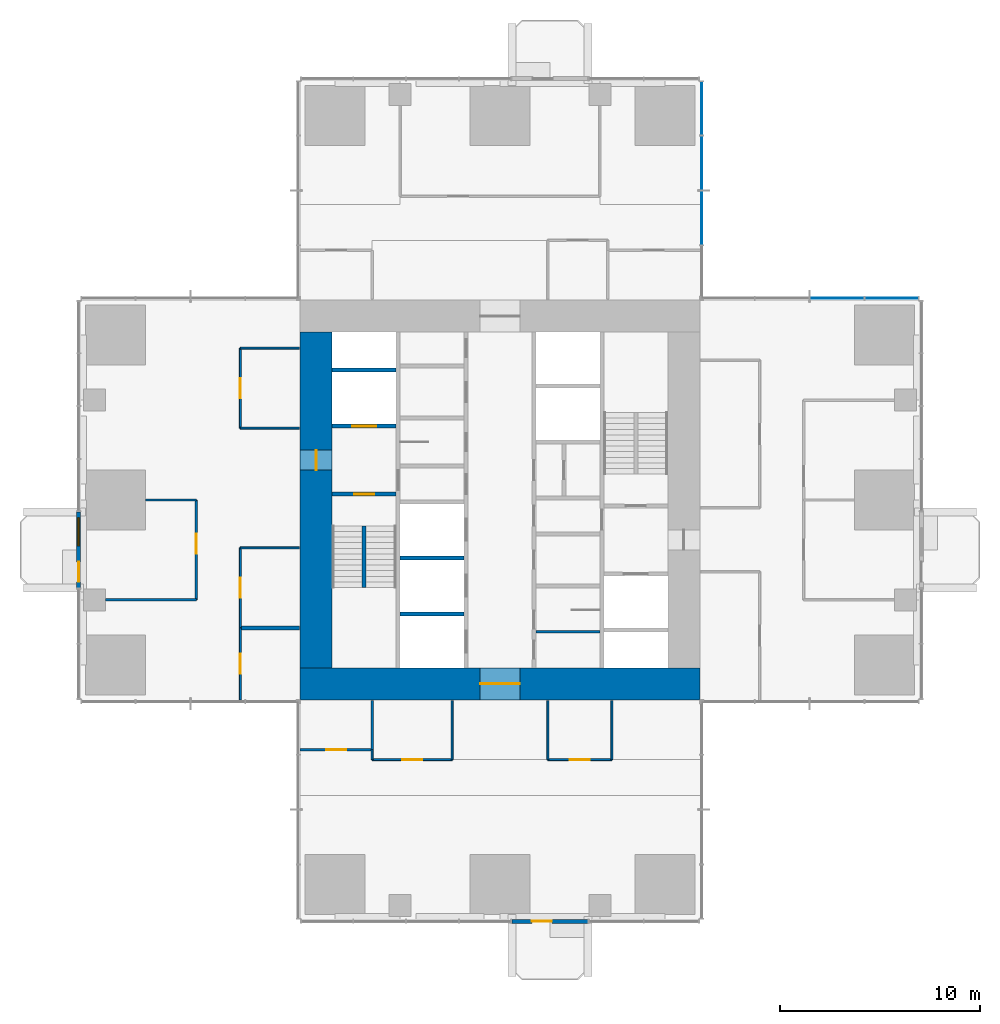
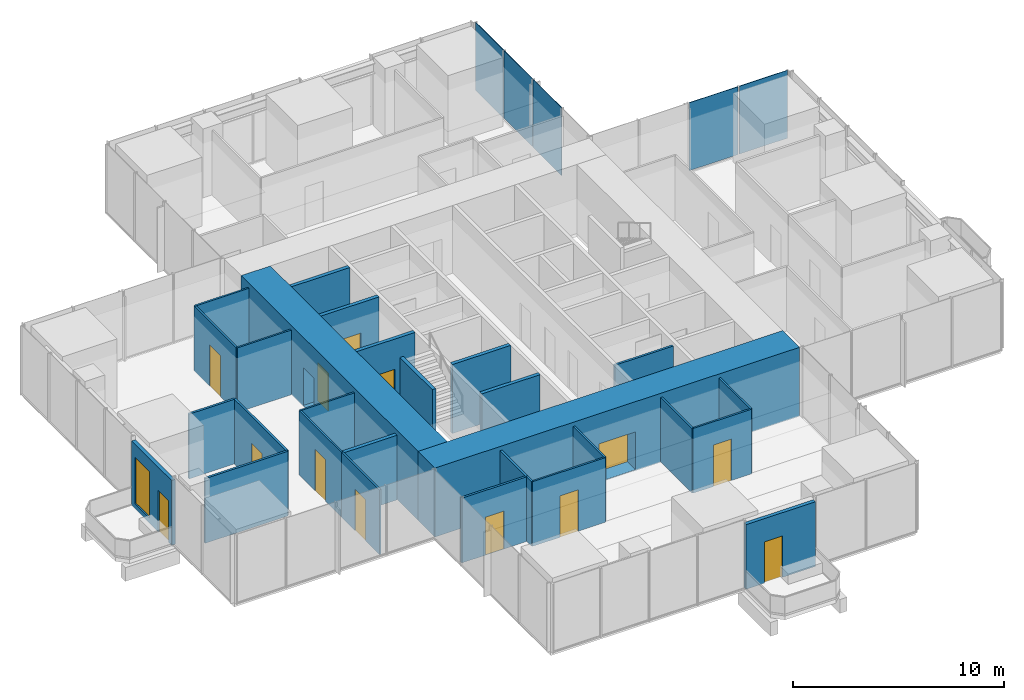
# One storey, part 8 of 13: 29 walls, 13 doors, 5 plates, 1 window, 14 openings, 2 elements without a shape of their own.
"""IFC4 building model written with IfcOpenShell, lengths in metres."""

from ifc_helpers import new_model, si_unit, direction, frame, frame_2d, origin, origin_2d, place, context, subcontext, project, spatial, rectangle, extrude, material, layer, layer_set, type_object, element, fill, aggregate, save


model = new_model("IFC4")

# Units and contexts
model_context = context("Model", 3, precision=1e-05, world=origin(), true_north=direction((0.0, 1.0)))
body_context = subcontext(model_context, "Body", "Model", "MODEL_VIEW")
ifc_project = project(units=[si_unit("LENGTHUNIT", "METRE"), si_unit("AREAUNIT", "SQUARE_METRE"), si_unit("VOLUMEUNIT", "CUBIC_METRE"), si_unit("PLANEANGLEUNIT", "RADIAN"), si_unit("MASSUNIT", "GRAM", prefix="KILO")], contexts=[model_context])

# Site, building, storey
site_placement = place(None, origin())
site = spatial("IfcSite", under=ifc_project, at=site_placement, CompositionType="ELEMENT")
building_placement = place(site_placement, origin())
building = spatial("IfcBuilding", under=site, at=building_placement, Name="Svetlomir Tower", CompositionType="ELEMENT")
storey_placement = place(building_placement, frame((0.0, 0.0, 136.5)))
storey = spatial("IfcBuildingStorey", under=building, at=storey_placement, Name="L32", CompositionType="ELEMENT", Elevation=136.5)

# Curtain wall, plates
ifc_material_1 = material(Name="Bronze anodised aluminium curtain wall", Category="aluminium")
curtain_wall_type = type_object("IfcCurtainWallType", Name="CURTAIN WALL CW1 TOWER OFFICE", PredefinedType="NOTDEFINED", material=ifc_material_1)
curtain_wall_1_placement = place(storey_placement, origin())
curtain_wall_1 = element("IfcCurtainWall", 1, at=curtain_wall_1_placement, inside=storey, type_object=curtain_wall_type, Name="Curtain wall CW1 L32", PredefinedType="NOTDEFINED")
ifc_material_2 = material(Name="Tinted double glazed unit", Category="glass")
ifc_layer_1 = layer(ifc_material_2, 0.031982421875)
ifc_layer_set_1 = layer_set([ifc_layer_1], Name="Tinted double glazed unit")
plate_type = type_object("IfcPlateType", Name="CW1 GLAZED PANEL 32", PredefinedType="CURTAIN_PANEL", material=ifc_layer_set_1)
plate_1_placement = place(storey_placement, frame((40.608642578125, 31.10009765625, 0.06494140625), z_axis=(0.0, 0.0, 1.0), x_axis=(-1.0, 0.0, 0.0)))
plate_1 = element("IfcPlate", 2, at=plate_1_placement, type_object=plate_type, Name="CW1 panel 1.1", PredefinedType="CURTAIN_PANEL", context=body_context, shape_type="SweptSolid", body=[
    extrude(rectangle(XDim=2.652587890625, YDim=0.031982421875, at=origin_2d()), origin(), (0.0, 0.0, 1.0), 3.93505859375),
])
plate_2_placement = place(storey_placement, frame((37.875, 31.10009765625, 0.06494140625), z_axis=(0.0, 0.0, 1.0), x_axis=(-1.0, 0.0, 0.0)))
plate_2 = element("IfcPlate", 3, at=plate_2_placement, type_object=plate_type, Name="CW1 panel 2.1", PredefinedType="CURTAIN_PANEL", context=body_context, shape_type="SweptSolid", body=[
    extrude(rectangle(XDim=2.68505859375, YDim=0.031982421875, at=origin_2d()), origin(), (0.0, 0.0, 1.0), 3.93505859375),
])
aggregate(curtain_wall_1, [plate_1, plate_2])

curtain_wall_2_placement = place(storey_placement, origin())
curtain_wall_2 = element("IfcCurtainWall", 4, at=curtain_wall_2_placement, inside=storey, type_object=curtain_wall_type, Name="Curtain wall CW1 L32", PredefinedType="NOTDEFINED")
plate_3_placement = place(storey_placement, frame((31.10009765625, 35.125, 0.06494140625), z_axis=(0.0, 0.0, 1.0), x_axis=(0.0, 1.0, 0.0)))
plate_3 = element("IfcPlate", 5, at=plate_3_placement, type_object=plate_type, Name="CW1 panel 2.1", PredefinedType="CURTAIN_PANEL", context=body_context, shape_type="SweptSolid", body=[
    extrude(rectangle(XDim=2.68505859375, YDim=0.031982421875, at=origin_2d()), origin(), (0.0, 0.0, 1.0), 3.93505859375),
])
plate_4_placement = place(storey_placement, frame((31.10009765625, 37.875, 0.06494140625), z_axis=(0.0, 0.0, 1.0), x_axis=(0.0, 1.0, 0.0)))
plate_4 = element("IfcPlate", 6, at=plate_4_placement, type_object=plate_type, Name="CW1 panel 3.1", PredefinedType="CURTAIN_PANEL", context=body_context, shape_type="SweptSolid", body=[
    extrude(rectangle(XDim=2.68505859375, YDim=0.031982421875, at=origin_2d()), origin(), (0.0, 0.0, 1.0), 3.93505859375),
])
plate_5_placement = place(storey_placement, frame((31.10009765625, 40.608642578125, 0.06494140625), z_axis=(0.0, 0.0, 1.0), x_axis=(0.0, 1.0, 0.0)))
plate_5 = element("IfcPlate", 7, at=plate_5_placement, type_object=plate_type, Name="CW1 panel 4.1", PredefinedType="CURTAIN_PANEL", context=body_context, shape_type="SweptSolid", body=[
    extrude(rectangle(XDim=2.652587890625, YDim=0.031982421875, at=origin_2d()), origin(), (0.0, 0.0, 1.0), 3.93505859375),
])
aggregate(curtain_wall_2, [plate_3, plate_4, plate_5])

# Wall
ifc_material_3 = material(Name="Gypsum board on twin steel studs", Category="steel")
ifc_layer_2 = layer(ifc_material_3, 0.199951171875)
ifc_layer_set_2 = layer_set([ifc_layer_2], Name="Gypsum board on twin steel studs")
wall_type_1 = type_object("IfcWallType", Name="ACOUSTIC PARTITION 200", PredefinedType="PARTITIONING", material=ifc_layer_set_2)
wall_1_placement = place(storey_placement, frame((8.0, 14.60009765625, 0.0), z_axis=(0.0, 0.0, 1.0), x_axis=(1.0, 0.0, 0.0)))
element("IfcWall", 8, at=wall_1_placement, inside=storey, type_object=wall_type_1, Name="Acoustic partition L32", PredefinedType="PARTITIONING", context=body_context, shape_type="SweptSolid", body=[
    extrude(rectangle(XDim=2.949951171875, YDim=0.199951171875, at=frame_2d((1.47509765625, 0.0))), origin(), (0.0, 0.0, 1.0), 3.75),
])

# Wall, opening, door
ifc_material_4 = material(Name="Bronze anodised aluminium glazed screen", Category="aluminium")
ifc_layer_3 = layer(ifc_material_4, 0.199951171875)
ifc_layer_set_3 = layer_set([ifc_layer_3], Name="Bronze anodised aluminium glazed screen")
wall_type_2 = type_object("IfcWallType", Name="BALCONY SCREEN WALL 200", PredefinedType="USERDEFINED", material=ifc_layer_set_3)
wall_2_placement = place(storey_placement, frame((21.60009765625, -0.10009765625, 0.0), z_axis=(0.0, 0.0, 1.0), x_axis=(1.0, 0.0, 0.0)))
wall_2 = element("IfcWall", 9, at=wall_2_placement, inside=storey, type_object=wall_type_2, Name="Balcony screen S", ObjectType="GLAZED SCREEN", PredefinedType="USERDEFINED", context=body_context, shape_type="SweptSolid", body=[
    extrude(rectangle(XDim=3.7998046875, YDim=0.199951171875, at=frame_2d((1.89990234375, 0.0))), origin(), (0.0, 0.0, 1.0), 3.75),
])
opening_1_placement = place(wall_2_placement, frame((1.0, 0.0, 0.0)))
opening_1 = element("IfcOpeningElement", 10, at=opening_1_placement, cuts=wall_2, Name="Opening BD", PredefinedType="OPENING", context=body_context, shape_type="SweptSolid", body=[
    extrude(rectangle(XDim=1.0, YDim=2.39990234375, at=frame_2d((0.5, 1.199951171875))), frame((0.0, 0.10986328125, 0.0), z_axis=(0.0, -1.0, 0.0), x_axis=(1.0, 0.0, 0.0)), (0.0, 0.0, 1.0), 0.219970703125),
])
ifc_material_5 = material(Name="Bronze anodised aluminium glazed door", Category="aluminium")
door_type_1 = type_object("IfcDoorType", Name="BALCONY DOOR BD 1000x2400", OperationType="SINGLE_SWING_LEFT", PredefinedType="DOOR", material=ifc_material_5)
door_1_placement = place(opening_1_placement, origin())
door_1 = element("IfcDoor", 11, at=door_1_placement, inside=storey, type_object=door_type_1, Name="Balcony screen S door", OperationType="SINGLE_SWING_LEFT", OverallHeight=2.39990234375, OverallWidth=1.0, PredefinedType="DOOR", context=body_context, shape_type="SweptSolid", body=[
    extrude(rectangle(XDim=1.0, YDim=2.39990234375, at=frame_2d((0.5, 1.199951171875))), frame((0.0, 0.02490234375, 0.0), z_axis=(0.0, -1.0, 0.0), x_axis=(1.0, 0.0, 0.0)), (0.0, 0.0, 1.0), 0.050048828125),
])
fill(opening_1, door_1)

# Wall, openings, door, window
wall_3_placement = place(storey_placement, frame((-0.10009765625, 20.39990234375, 0.0), z_axis=(0.0, 0.0, 1.0), x_axis=(0.0, -1.0, 0.0)))
wall_3 = element("IfcWall", 12, at=wall_3_placement, inside=storey, type_object=wall_type_2, Name="Balcony screen W", ObjectType="GLAZED SCREEN", PredefinedType="USERDEFINED", context=body_context, shape_type="SweptSolid", body=[
    extrude(rectangle(XDim=3.7998046875, YDim=0.199951171875, at=frame_2d((1.89990234375, 0.0))), origin(), (0.0, 0.0, 1.0), 3.75),
])
opening_2_placement = place(wall_3_placement, frame((2.5, 0.0, 0.0)))
opening_2 = element("IfcOpeningElement", 13, at=opening_2_placement, cuts=wall_3, Name="Opening BD", PredefinedType="OPENING", context=body_context, shape_type="SweptSolid", body=[
    extrude(rectangle(XDim=1.0, YDim=2.39990234375, at=frame_2d((0.5, 1.199951171875))), frame((0.0, 0.10986328125, 0.0), z_axis=(0.0, -1.0, 0.0), x_axis=(1.0, 0.0, 0.0)), (0.0, 0.0, 1.0), 0.219970703125),
])
opening_3_placement = place(wall_3_placement, frame((0.300048828125, 0.0, 0.300048828125)))
opening_3 = element("IfcOpeningElement", 14, at=opening_3_placement, cuts=wall_3, Name="Opening WS2", PredefinedType="OPENING", context=body_context, shape_type="SweptSolid", body=[
    extrude(rectangle(XDim=1.39990234375, YDim=2.699951171875, at=frame_2d((0.699951171875, 1.35009765625))), frame((0.0, 0.10986328125, 0.0), z_axis=(0.0, -1.0, 0.0), x_axis=(1.0, 0.0, 0.0)), (0.0, 0.0, 1.0), 0.219970703125),
])
door_2_placement = place(opening_2_placement, origin())
door_2 = element("IfcDoor", 15, at=door_2_placement, inside=storey, type_object=door_type_1, Name="Balcony screen W door", OperationType="SINGLE_SWING_LEFT", OverallHeight=2.39990234375, OverallWidth=1.0, PredefinedType="DOOR", context=body_context, shape_type="SweptSolid", body=[
    extrude(rectangle(XDim=1.0, YDim=2.39990234375, at=frame_2d((0.5, 1.199951171875))), frame((0.0, 0.02490234375, 0.0), z_axis=(0.0, -1.0, 0.0), x_axis=(1.0, 0.0, 0.0)), (0.0, 0.0, 1.0), 0.050048828125),
])
fill(opening_2, door_2)
ifc_material_6 = material(Name="Bronze anodised aluminium window", Category="aluminium")
window_type = type_object("IfcWindowType", Name="SCREEN WINDOW WS2 1400x2700", PartitioningType="SINGLE_PANEL", PredefinedType="WINDOW", material=ifc_material_6)
window_placement = place(opening_3_placement, origin())
window = element("IfcWindow", 16, at=window_placement, inside=storey, type_object=window_type, Name="Balcony screen W window 1", OverallHeight=2.699951171875, OverallWidth=1.39990234375, PartitioningType="SINGLE_PANEL", PredefinedType="WINDOW", context=body_context, shape_type="SweptSolid", body=[
    extrude(rectangle(XDim=1.39990234375, YDim=2.699951171875, at=frame_2d((0.699951171875, 1.35009765625))), frame((0.0, 0.030029296875, 0.0), z_axis=(0.0, -1.0, 0.0), x_axis=(1.0, 0.0, 0.0)), (0.0, 0.0, 1.0), 0.06005859375),
])
fill(opening_3, window)

# Wall, opening, door
ifc_material_7 = material(Name="Concrete C60/75", Category="concrete")
ifc_layer_4 = layer(ifc_material_7, 0.199951171875)
ifc_layer_set_4 = layer_set([ifc_layer_4], Name="Concrete C60/75")
wall_type_3 = type_object("IfcWallType", Name="CORE INNER WALL 200", PredefinedType="SHEAR", material=ifc_layer_set_4)
wall_4_placement = place(storey_placement, frame((12.60009765625, 21.300048828125, -0.050048828125), z_axis=(0.0, 0.0, 1.0), x_axis=(1.0, 0.0, 0.0)))
wall_4 = element("IfcWall", 17, at=wall_4_placement, inside=storey, type_object=wall_type_3, Name="Core inner wall 12.6-15.8/21.3 L32", PredefinedType="SHEAR", context=body_context, shape_type="SweptSolid", body=[
    extrude(rectangle(XDim=3.199951171875, YDim=0.199951171875, at=frame_2d((1.60009765625, 0.0))), origin(), (0.0, 0.0, 1.0), 4.0),
])
opening_4_placement = place(wall_4_placement, frame((1.10009765625, 0.0, 0.050048828125)))
opening_4 = element("IfcOpeningElement", 18, at=opening_4_placement, cuts=wall_4, Name="Opening DF", PredefinedType="OPENING", context=body_context, shape_type="SweptSolid", body=[
    extrude(rectangle(XDim=1.0, YDim=2.199951171875, at=frame_2d((0.5, 1.10009765625))), frame((0.0, 0.10986328125, 0.0), z_axis=(0.0, -1.0, 0.0), x_axis=(1.0, 0.0, 0.0)), (0.0, 0.0, 1.0), 0.219970703125),
])
ifc_material_8 = material(Name="Steel fire door", Category="steel")
door_type_2 = type_object("IfcDoorType", Name="DOOR DF 1000x2200", OperationType="SINGLE_SWING_LEFT", PredefinedType="DOOR", material=ifc_material_8)
door_3_placement = place(opening_4_placement, origin())
door_3 = element("IfcDoor", 19, at=door_3_placement, inside=storey, type_object=door_type_2, Name="Stair S1 door L32", OperationType="SINGLE_SWING_RIGHT", OverallHeight=2.199951171875, OverallWidth=1.0, PredefinedType="DOOR", context=body_context, shape_type="SweptSolid", body=[
    extrude(rectangle(XDim=1.0, YDim=2.199951171875, at=frame_2d((0.5, 1.10009765625))), frame((0.0, 0.02490234375, 0.0), z_axis=(0.0, -1.0, 0.0), x_axis=(1.0, 0.0, 0.0)), (0.0, 0.0, 1.0), 0.050048828125),
])
fill(opening_4, door_3)

wall_5_placement = place(storey_placement, frame((12.60009765625, 24.699951171875, -0.050048828125), z_axis=(0.0, 0.0, 1.0), x_axis=(1.0, 0.0, 0.0)))
wall_5 = element("IfcWall", 20, at=wall_5_placement, inside=storey, type_object=wall_type_3, Name="Core inner wall 12.6-15.8/24.7 L32", PredefinedType="SHEAR", context=body_context, shape_type="SweptSolid", body=[
    extrude(rectangle(XDim=3.199951171875, YDim=0.199951171875, at=frame_2d((1.60009765625, 0.0))), origin(), (0.0, 0.0, 1.0), 4.0),
])
opening_5_placement = place(wall_5_placement, frame((1.0, 0.0, 0.050048828125)))
opening_5 = element("IfcOpeningElement", 21, at=opening_5_placement, cuts=wall_5, Name="Opening LD3", PredefinedType="OPENING", context=body_context, shape_type="SweptSolid", body=[
    extrude(rectangle(XDim=1.199951171875, YDim=2.199951171875, at=frame_2d((0.60009765625, 1.10009765625))), frame((0.0, 0.10986328125, 0.0), z_axis=(0.0, -1.0, 0.0), x_axis=(1.0, 0.0, 0.0)), (0.0, 0.0, 1.0), 0.219970703125),
])
ifc_material_9 = material(Name="Stainless steel fire-rated landing door", Category="steel")
door_type_3 = type_object("IfcDoorType", Name="FIREFIGHTING LIFT LANDING DOOR LD3 1200x2200", OperationType="DOUBLE_DOOR_SLIDING", PredefinedType="DOOR", material=ifc_material_9)
door_4_placement = place(opening_5_placement, origin())
door_4 = element("IfcDoor", 22, at=door_4_placement, inside=storey, type_object=door_type_3, Name="Landing door lift FL1 L32", OperationType="DOUBLE_DOOR_SLIDING", OverallHeight=2.199951171875, OverallWidth=1.199951171875, PredefinedType="DOOR", context=body_context, shape_type="SweptSolid", body=[
    extrude(rectangle(XDim=1.199951171875, YDim=2.199951171875, at=frame_2d((0.60009765625, 1.10009765625))), frame((0.0, 0.02490234375, 0.0), z_axis=(0.0, -1.0, 0.0), x_axis=(1.0, 0.0, 0.0)), (0.0, 0.0, 1.0), 0.050048828125),
])
fill(opening_5, door_4)

# Walls
for number, where, z_axis, x_axis, name in (
    (23, (12.60009765625, 27.5, -0.050048828125), (0.0, 0.0, 1.0), (1.0, 0.0, 0.0), "Core inner wall 12.6-15.8/27.5 L32"),
    (24, (16.0, 15.300048828125, -0.050048828125), (0.0, 0.0, 1.0), (1.0, 0.0, 0.0), "Core inner wall 16-19.2/15.3 L32"),
    (25, (16.0, 18.10009765625, -0.050048828125), (0.0, 0.0, 1.0), (1.0, 0.0, 0.0), "Core inner wall 16-19.2/18.1 L32"),
):
    element("IfcWall", number, at=place(storey_placement, frame(where, z_axis=z_axis, x_axis=x_axis)), inside=storey, type_object=wall_type_3, Name=name, PredefinedType="SHEAR", context=body_context, shape_type="SweptSolid", body=[
        extrude(rectangle(XDim=3.199951171875, YDim=0.199951171875, at=frame_2d((1.60009765625, 0.0))), origin(), (0.0, 0.0, 1.0), 4.0),
    ])

# Wall, opening, door
ifc_material_10 = material(Name="Concrete C60/75", Category="concrete")
ifc_layer_5 = layer(ifc_material_10, 1.60009765625)
ifc_layer_set_5 = layer_set([ifc_layer_5], Name="Concrete C60/75")
wall_type_4 = type_object("IfcWallType", Name="CORE WALL 1600", PredefinedType="SHEAR", material=ifc_layer_set_5)
wall_6_placement = place(storey_placement, frame((11.0, 11.800048828125, -0.050048828125), z_axis=(0.0, 0.0, 1.0), x_axis=(1.0, 0.0, 0.0)))
wall_6 = element("IfcWall", 26, at=wall_6_placement, inside=storey, type_object=wall_type_4, Name="Core wall south L32", PredefinedType="SHEAR", context=body_context, shape_type="SweptSolid", body=[
    extrude(rectangle(XDim=20.0, YDim=1.60009765625, at=frame_2d((10.0, 0.0))), origin(), (0.0, 0.0, 1.0), 4.0),
])
opening_6_placement = place(wall_6_placement, frame((9.0, 0.0, 0.050048828125)))
opening_6 = element("IfcOpeningElement", 27, at=opening_6_placement, cuts=wall_6, Name="Opening DL", PredefinedType="OPENING", context=body_context, shape_type="SweptSolid", body=[
    extrude(rectangle(XDim=2.0, YDim=2.199951171875, at=frame_2d((1.0, 1.10009765625))), frame((0.0, 0.81005859375, 0.0), z_axis=(0.0, -1.0, 0.0), x_axis=(1.0, 0.0, 0.0)), (0.0, 0.0, 1.0), 1.6201171875),
])
ifc_material_11 = material(Name="Steel fire door", Category="steel")
door_type_4 = type_object("IfcDoorType", Name="DOOR DL 2000x2200", OperationType="DOUBLE_DOOR_SINGLE_SWING", PredefinedType="DOOR", material=ifc_material_11)
door_5_placement = place(opening_6_placement, origin())
door_5 = element("IfcDoor", 28, at=door_5_placement, inside=storey, type_object=door_type_4, Name="Lift lobby south door L32", OperationType="DOUBLE_DOOR_SINGLE_SWING", OverallHeight=2.199951171875, OverallWidth=2.0, PredefinedType="DOOR", context=body_context, shape_type="SweptSolid", body=[
    extrude(rectangle(XDim=2.0, YDim=2.199951171875, at=frame_2d((1.0, 1.10009765625))), frame((0.0, 0.02490234375, 0.0), z_axis=(0.0, -1.0, 0.0), x_axis=(1.0, 0.0, 0.0)), (0.0, 0.0, 1.0), 0.050048828125),
])
fill(opening_6, door_5)

wall_7_placement = place(storey_placement, frame((11.800048828125, 12.60009765625, -0.050048828125), z_axis=(0.0, 0.0, 1.0), x_axis=(0.0, 1.0, 0.0)))
wall_7 = element("IfcWall", 29, at=wall_7_placement, inside=storey, type_object=wall_type_4, Name="Core wall west L32", PredefinedType="SHEAR", context=body_context, shape_type="SweptSolid", body=[
    extrude(rectangle(XDim=16.7998046875, YDim=1.60009765625, at=frame_2d((8.39990234375, 0.0))), origin(), (0.0, 0.0, 1.0), 4.0),
])
opening_7_placement = place(wall_7_placement, frame((9.89990234375, 0.0, 0.050048828125)))
opening_7 = element("IfcOpeningElement", 30, at=opening_7_placement, cuts=wall_7, Name="Opening DF", PredefinedType="OPENING", context=body_context, shape_type="SweptSolid", body=[
    extrude(rectangle(XDim=1.0, YDim=2.199951171875, at=frame_2d((0.5, 1.10009765625))), frame((0.0, 0.81005859375, 0.0), z_axis=(0.0, -1.0, 0.0), x_axis=(1.0, 0.0, 0.0)), (0.0, 0.0, 1.0), 1.6201171875),
])
door_6_placement = place(opening_7_placement, origin())
door_6 = element("IfcDoor", 31, at=door_6_placement, inside=storey, type_object=door_type_2, Name="Firefighting lobby west door L32", OperationType="SINGLE_SWING_RIGHT", OverallHeight=2.199951171875, OverallWidth=1.0, PredefinedType="DOOR", context=body_context, shape_type="SweptSolid", body=[
    extrude(rectangle(XDim=1.0, YDim=2.199951171875, at=frame_2d((0.5, 1.10009765625))), frame((0.0, 0.02490234375, 0.0), z_axis=(0.0, -1.0, 0.0), x_axis=(1.0, 0.0, 0.0)), (0.0, 0.0, 1.0), 0.050048828125),
])
fill(opening_7, door_6)

ifc_material_12 = material(Name="Framed laminated glass partition", Category="glass")
ifc_layer_6 = layer(ifc_material_12, 0.10009765625)
ifc_layer_set_6 = layer_set([ifc_layer_6], Name="Framed laminated glass partition")
wall_type_5 = type_object("IfcWallType", Name="GLAZED PARTITION 100", PredefinedType="PARTITIONING", material=ifc_layer_set_6)
wall_8_placement = place(storey_placement, frame((8.0, 11.0, 0.0), z_axis=(0.0, 0.0, 1.0), x_axis=(0.0, 1.0, 0.0)))
wall_8 = element("IfcWall", 32, at=wall_8_placement, inside=storey, type_object=wall_type_5, Name="Glazed partition L32", PredefinedType="PARTITIONING", context=body_context, shape_type="SweptSolid", body=[
    extrude(rectangle(XDim=3.60009765625, YDim=0.10009765625, at=frame_2d((1.800048828125, 0.0))), origin(), (0.0, 0.0, 1.0), 3.75),
])
opening_8_placement = place(wall_8_placement, frame((1.300048828125, 0.0, 0.0)))
opening_8 = element("IfcOpeningElement", 33, at=opening_8_placement, cuts=wall_8, Name="Opening DG", PredefinedType="OPENING", context=body_context, shape_type="SweptSolid", body=[
    extrude(rectangle(XDim=1.0, YDim=2.39990234375, at=frame_2d((0.5, 1.199951171875))), frame((0.0, 0.06005859375, 0.0), z_axis=(0.0, -1.0, 0.0), x_axis=(1.0, 0.0, 0.0)), (0.0, 0.0, 1.0), 0.1201171875),
])
ifc_material_13 = material(Name="Framed laminated glass door", Category="glass")
door_type_5 = type_object("IfcDoorType", Name="GLAZED DOOR DG 1000x2400", OperationType="SINGLE_SWING_LEFT", PredefinedType="DOOR", material=ifc_material_13)
door_7_placement = place(opening_8_placement, origin())
door_7 = element("IfcDoor", 34, at=door_7_placement, inside=storey, type_object=door_type_5, Name="Meeting room, 8 seats door L32", OperationType="SINGLE_SWING_RIGHT", OverallHeight=2.39990234375, OverallWidth=1.0, PredefinedType="DOOR", context=body_context, shape_type="SweptSolid", body=[
    extrude(rectangle(XDim=1.0, YDim=2.39990234375, at=frame_2d((0.5, 1.199951171875))), frame((0.0, 0.02490234375, 0.0), z_axis=(0.0, -1.0, 0.0), x_axis=(1.0, 0.0, 0.0)), (0.0, 0.0, 1.0), 0.050048828125),
])
fill(opening_8, door_7)

wall_9_placement = place(storey_placement, frame((8.0, 14.60009765625, 0.0), z_axis=(0.0, 0.0, 1.0), x_axis=(0.0, 1.0, 0.0)))
wall_9 = element("IfcWall", 35, at=wall_9_placement, inside=storey, type_object=wall_type_5, Name="Glazed partition L32", PredefinedType="PARTITIONING", context=body_context, shape_type="SweptSolid", body=[
    extrude(rectangle(XDim=4.0, YDim=0.10009765625, at=frame_2d((2.0, 0.0))), origin(), (0.0, 0.0, 1.0), 3.75),
])
opening_9_placement = place(wall_9_placement, frame((1.5, 0.0, 0.0)))
opening_9 = element("IfcOpeningElement", 36, at=opening_9_placement, cuts=wall_9, Name="Opening DG", PredefinedType="OPENING", context=body_context, shape_type="SweptSolid", body=[
    extrude(rectangle(XDim=1.0, YDim=2.39990234375, at=frame_2d((0.5, 1.199951171875))), frame((0.0, 0.06005859375, 0.0), z_axis=(0.0, -1.0, 0.0), x_axis=(1.0, 0.0, 0.0)), (0.0, 0.0, 1.0), 0.1201171875),
])
door_8_placement = place(opening_9_placement, origin())
door_8 = element("IfcDoor", 37, at=door_8_placement, inside=storey, type_object=door_type_5, Name="Meeting room, 4 seats 2 door L32", OperationType="SINGLE_SWING_LEFT", OverallHeight=2.39990234375, OverallWidth=1.0, PredefinedType="DOOR", context=body_context, shape_type="SweptSolid", body=[
    extrude(rectangle(XDim=1.0, YDim=2.39990234375, at=frame_2d((0.5, 1.199951171875))), frame((0.0, 0.02490234375, 0.0), z_axis=(0.0, -1.0, 0.0), x_axis=(1.0, 0.0, 0.0)), (0.0, 0.0, 1.0), 0.050048828125),
])
fill(opening_9, door_8)

# Wall
wall_10_placement = place(storey_placement, frame((8.0, 18.60009765625, 0.0), z_axis=(0.0, 0.0, 1.0), x_axis=(1.0, 0.0, 0.0)))
element("IfcWall", 38, at=wall_10_placement, inside=storey, type_object=wall_type_5, Name="Glazed partition L32", PredefinedType="PARTITIONING", context=body_context, shape_type="SweptSolid", body=[
    extrude(rectangle(XDim=2.949951171875, YDim=0.10009765625, at=frame_2d((1.47509765625, 0.0))), origin(), (0.0, 0.0, 1.0), 3.75),
])

# Wall, opening, door
wall_11_placement = place(storey_placement, frame((8.0, 24.60009765625, 0.0), z_axis=(0.0, 0.0, 1.0), x_axis=(0.0, 1.0, 0.0)))
wall_11 = element("IfcWall", 39, at=wall_11_placement, inside=storey, type_object=wall_type_5, Name="Glazed partition L32", PredefinedType="PARTITIONING", context=body_context, shape_type="SweptSolid", body=[
    extrude(rectangle(XDim=4.0, YDim=0.10009765625, at=frame_2d((2.0, 0.0))), origin(), (0.0, 0.0, 1.0), 3.75),
])
opening_10_placement = place(wall_11_placement, frame((1.5, 0.0, 0.0)))
opening_10 = element("IfcOpeningElement", 40, at=opening_10_placement, cuts=wall_11, Name="Opening DG", PredefinedType="OPENING", context=body_context, shape_type="SweptSolid", body=[
    extrude(rectangle(XDim=1.0, YDim=2.39990234375, at=frame_2d((0.5, 1.199951171875))), frame((0.0, 0.06005859375, 0.0), z_axis=(0.0, -1.0, 0.0), x_axis=(1.0, 0.0, 0.0)), (0.0, 0.0, 1.0), 0.1201171875),
])
door_9_placement = place(opening_10_placement, origin())
door_9 = element("IfcDoor", 41, at=door_9_placement, inside=storey, type_object=door_type_5, Name="Focus room 1 door L32", OperationType="SINGLE_SWING_RIGHT", OverallHeight=2.39990234375, OverallWidth=1.0, PredefinedType="DOOR", context=body_context, shape_type="SweptSolid", body=[
    extrude(rectangle(XDim=1.0, YDim=2.39990234375, at=frame_2d((0.5, 1.199951171875))), frame((0.0, 0.02490234375, 0.0), z_axis=(0.0, -1.0, 0.0), x_axis=(1.0, 0.0, 0.0)), (0.0, 0.0, 1.0), 0.050048828125),
])
fill(opening_10, door_9)

# Walls
for number, where, z_axis, x_axis, name in (
    (42, (8.0, 24.60009765625, 0.0), (0.0, 0.0, 1.0), (1.0, 0.0, 0.0), "Glazed partition L32"),
    (43, (8.0, 28.60009765625, 0.0), (0.0, 0.0, 1.0), (1.0, 0.0, 0.0), "Glazed partition L32"),
):
    element("IfcWall", number, at=place(storey_placement, frame(where, z_axis=z_axis, x_axis=x_axis)), inside=storey, type_object=wall_type_5, Name=name, PredefinedType="PARTITIONING", context=body_context, shape_type="SweptSolid", body=[
        extrude(rectangle(XDim=2.949951171875, YDim=0.10009765625, at=frame_2d((1.47509765625, 0.0))), origin(), (0.0, 0.0, 1.0), 3.75),
    ])
wall_12_placement = place(storey_placement, frame((14.60009765625, 8.0, 0.0), z_axis=(0.0, 0.0, 1.0), x_axis=(0.0, 1.0, 0.0)))
element("IfcWall", 44, at=wall_12_placement, inside=storey, type_object=wall_type_5, Name="Glazed partition L32", PredefinedType="PARTITIONING", context=body_context, shape_type="SweptSolid", body=[
    extrude(rectangle(XDim=0.5, YDim=0.10009765625, at=frame_2d((0.25, 0.0))), origin(), (0.0, 0.0, 1.0), 3.75),
])

# Wall, opening, door
wall_13_placement = place(storey_placement, frame((14.60009765625, 8.0, 0.0), z_axis=(0.0, 0.0, 1.0), x_axis=(1.0, 0.0, 0.0)))
wall_13 = element("IfcWall", 45, at=wall_13_placement, inside=storey, type_object=wall_type_5, Name="Glazed partition L32", PredefinedType="PARTITIONING", context=body_context, shape_type="SweptSolid", body=[
    extrude(rectangle(XDim=4.0, YDim=0.10009765625, at=frame_2d((2.0, 0.0))), origin(), (0.0, 0.0, 1.0), 3.75),
])
opening_11_placement = place(wall_13_placement, frame((1.5, 0.0, 0.0)))
opening_11 = element("IfcOpeningElement", 46, at=opening_11_placement, cuts=wall_13, Name="Opening DG", PredefinedType="OPENING", context=body_context, shape_type="SweptSolid", body=[
    extrude(rectangle(XDim=1.0, YDim=2.39990234375, at=frame_2d((0.5, 1.199951171875))), frame((0.0, 0.06005859375, 0.0), z_axis=(0.0, -1.0, 0.0), x_axis=(1.0, 0.0, 0.0)), (0.0, 0.0, 1.0), 0.1201171875),
])
door_10_placement = place(opening_11_placement, origin())
door_10 = element("IfcDoor", 47, at=door_10_placement, inside=storey, type_object=door_type_5, Name="Meeting room, 6 seats door L32", OperationType="SINGLE_SWING_RIGHT", OverallHeight=2.39990234375, OverallWidth=1.0, PredefinedType="DOOR", context=body_context, shape_type="SweptSolid", body=[
    extrude(rectangle(XDim=1.0, YDim=2.39990234375, at=frame_2d((0.5, 1.199951171875))), frame((0.0, 0.02490234375, 0.0), z_axis=(0.0, -1.0, 0.0), x_axis=(1.0, 0.0, 0.0)), (0.0, 0.0, 1.0), 0.050048828125),
])
fill(opening_11, door_10)

# Walls
for number, where, z_axis, x_axis, name in (
    (48, (18.60009765625, 8.0, 0.0), (0.0, 0.0, 1.0), (0.0, 1.0, 0.0), "Glazed partition L32"),
    (49, (23.39990234375, 8.0, 0.0), (0.0, 0.0, 1.0), (0.0, 1.0, 0.0), "Glazed partition L32"),
):
    element("IfcWall", number, at=place(storey_placement, frame(where, z_axis=z_axis, x_axis=x_axis)), inside=storey, type_object=wall_type_5, Name=name, PredefinedType="PARTITIONING", context=body_context, shape_type="SweptSolid", body=[
        extrude(rectangle(XDim=2.949951171875, YDim=0.10009765625, at=frame_2d((1.47509765625, 0.0))), origin(), (0.0, 0.0, 1.0), 3.75),
    ])

# Wall, opening, door
wall_14_placement = place(storey_placement, frame((23.39990234375, 8.0, 0.0), z_axis=(0.0, 0.0, 1.0), x_axis=(1.0, 0.0, 0.0)))
wall_14 = element("IfcWall", 50, at=wall_14_placement, inside=storey, type_object=wall_type_5, Name="Glazed partition L32", PredefinedType="PARTITIONING", context=body_context, shape_type="SweptSolid", body=[
    extrude(rectangle(XDim=3.2001953125, YDim=0.10009765625, at=frame_2d((1.60009765625, 0.0))), origin(), (0.0, 0.0, 1.0), 3.75),
])
opening_12_placement = place(wall_14_placement, frame((1.10009765625, 0.0, 0.0)))
opening_12 = element("IfcOpeningElement", 51, at=opening_12_placement, cuts=wall_14, Name="Opening DG", PredefinedType="OPENING", context=body_context, shape_type="SweptSolid", body=[
    extrude(rectangle(XDim=1.0, YDim=2.39990234375, at=frame_2d((0.5, 1.199951171875))), frame((0.0, 0.06005859375, 0.0), z_axis=(0.0, -1.0, 0.0), x_axis=(1.0, 0.0, 0.0)), (0.0, 0.0, 1.0), 0.1201171875),
])
door_11_placement = place(opening_12_placement, origin())
door_11 = element("IfcDoor", 52, at=door_11_placement, inside=storey, type_object=door_type_5, Name="Meeting room, 4 seats 1 door L32", OperationType="SINGLE_SWING_LEFT", OverallHeight=2.39990234375, OverallWidth=1.0, PredefinedType="DOOR", context=body_context, shape_type="SweptSolid", body=[
    extrude(rectangle(XDim=1.0, YDim=2.39990234375, at=frame_2d((0.5, 1.199951171875))), frame((0.0, 0.02490234375, 0.0), z_axis=(0.0, -1.0, 0.0), x_axis=(1.0, 0.0, 0.0)), (0.0, 0.0, 1.0), 0.050048828125),
])
fill(opening_12, door_11)

# Walls
wall_15_placement = place(storey_placement, frame((26.60009765625, 8.0, 0.0), z_axis=(0.0, 0.0, 1.0), x_axis=(0.0, 1.0, 0.0)))
element("IfcWall", 53, at=wall_15_placement, inside=storey, type_object=wall_type_5, Name="Glazed partition L32", PredefinedType="PARTITIONING", context=body_context, shape_type="SweptSolid", body=[
    extrude(rectangle(XDim=2.949951171875, YDim=0.10009765625, at=frame_2d((1.47509765625, 0.0))), origin(), (0.0, 0.0, 1.0), 3.75),
])
ifc_material_14 = material(Name="Gypsum board on steel studs", Category="steel")
ifc_layer_7 = layer(ifc_material_14, 0.1201171875)
ifc_layer_set_7 = layer_set([ifc_layer_7], Name="Gypsum board on steel studs")
wall_type_6 = type_object("IfcWallType", Name="PARTITION 120", PredefinedType="PARTITIONING", material=ifc_layer_set_7)
wall_16_placement = place(storey_placement, frame((22.800048828125, 14.39990234375, 0.0), z_axis=(0.0, 0.0, 1.0), x_axis=(1.0, 0.0, 0.0)))
element("IfcWall", 54, at=wall_16_placement, inside=storey, type_object=wall_type_6, Name="Floor store partition L32", PredefinedType="PARTITIONING", context=body_context, shape_type="SweptSolid", body=[
    extrude(rectangle(XDim=3.199951171875, YDim=0.1201171875, at=frame_2d((1.60009765625, 0.0))), origin(), (0.0, 0.0, 1.0), 3.75),
])
wall_17_placement = place(storey_placement, frame((1.260009765625, 16.0, 0.0), z_axis=(0.0, 0.0, 1.0), x_axis=(1.0, 0.0, 0.0)))
element("IfcWall", 55, at=wall_17_placement, inside=storey, type_object=wall_type_6, Name="Partition L32", PredefinedType="PARTITIONING", context=body_context, shape_type="SweptSolid", body=[
    extrude(rectangle(XDim=4.5400390625, YDim=0.1201171875, at=frame_2d((2.27001953125, 0.0))), origin(), (0.0, 0.0, 1.0), 3.75),
])
wall_18_placement = place(storey_placement, frame((3.260009765625, 21.0, 0.0), z_axis=(0.0, 0.0, 1.0), x_axis=(1.0, 0.0, 0.0)))
element("IfcWall", 56, at=wall_18_placement, inside=storey, type_object=wall_type_6, Name="Partition L32", PredefinedType="PARTITIONING", context=body_context, shape_type="SweptSolid", body=[
    extrude(rectangle(XDim=2.5400390625, YDim=0.1201171875, at=frame_2d((1.27001953125, 0.0))), origin(), (0.0, 0.0, 1.0), 3.75),
])

# Wall, opening, door
wall_19_placement = place(storey_placement, frame((5.800048828125, 16.0, 0.0), z_axis=(0.0, 0.0, 1.0), x_axis=(0.0, 1.0, 0.0)))
wall_19 = element("IfcWall", 57, at=wall_19_placement, inside=storey, type_object=wall_type_6, Name="Partition L32", PredefinedType="PARTITIONING", context=body_context, shape_type="SweptSolid", body=[
    extrude(rectangle(XDim=5.0, YDim=0.1201171875, at=frame_2d((2.5, 0.0))), origin(), (0.0, 0.0, 1.0), 3.75),
])
opening_13_placement = place(wall_19_placement, frame((2.300048828125, 0.0, 0.0)))
opening_13 = element("IfcOpeningElement", 58, at=opening_13_placement, cuts=wall_19, Name="Opening DR", PredefinedType="OPENING", context=body_context, shape_type="SweptSolid", body=[
    extrude(rectangle(XDim=1.0, YDim=2.199951171875, at=frame_2d((0.5, 1.10009765625))), frame((0.0, 0.070068359375, 0.0), z_axis=(0.0, -1.0, 0.0), x_axis=(1.0, 0.0, 0.0)), (0.0, 0.0, 1.0), 0.14013671875),
])
ifc_material_15 = material(Name="Timber door, glazed side light", Category="wood")
door_type_6 = type_object("IfcDoorType", Name="DOOR DR 1000x2200", OperationType="SINGLE_SWING_LEFT", PredefinedType="DOOR", material=ifc_material_15)
door_12_placement = place(opening_13_placement, origin())
door_12 = element("IfcDoor", 59, at=door_12_placement, inside=storey, type_object=door_type_6, Name="Development manager's office door L32", OperationType="SINGLE_SWING_RIGHT", OverallHeight=2.199951171875, OverallWidth=1.0, PredefinedType="DOOR", context=body_context, shape_type="SweptSolid", body=[
    extrude(rectangle(XDim=1.0, YDim=2.199951171875, at=frame_2d((0.5, 1.10009765625))), frame((0.0, 0.02490234375, 0.0), z_axis=(0.0, -1.0, 0.0), x_axis=(1.0, 0.0, 0.0)), (0.0, 0.0, 1.0), 0.050048828125),
])
fill(opening_13, door_12)

wall_20_placement = place(storey_placement, frame((11.0, 8.5, 0.0), z_axis=(0.0, 0.0, 1.0), x_axis=(1.0, 0.0, 0.0)))
wall_20 = element("IfcWall", 60, at=wall_20_placement, inside=storey, type_object=wall_type_6, Name="Partition L32", PredefinedType="PARTITIONING", context=body_context, shape_type="SweptSolid", body=[
    extrude(rectangle(XDim=3.60009765625, YDim=0.1201171875, at=frame_2d((1.800048828125, 0.0))), origin(), (0.0, 0.0, 1.0), 3.75),
])
opening_14_placement = place(wall_20_placement, frame((1.300048828125, 0.0, 0.0)))
opening_14 = element("IfcOpeningElement", 61, at=opening_14_placement, cuts=wall_20, Name="Opening DR", PredefinedType="OPENING", context=body_context, shape_type="SweptSolid", body=[
    extrude(rectangle(XDim=1.0, YDim=2.199951171875, at=frame_2d((0.5, 1.10009765625))), frame((0.0, 0.070068359375, 0.0), z_axis=(0.0, -1.0, 0.0), x_axis=(1.0, 0.0, 0.0)), (0.0, 0.0, 1.0), 0.14013671875),
])
door_13_placement = place(opening_14_placement, origin())
door_13 = element("IfcDoor", 62, at=door_13_placement, inside=storey, type_object=door_type_6, Name="Archive door L32", OperationType="SINGLE_SWING_RIGHT", OverallHeight=2.199951171875, OverallWidth=1.0, PredefinedType="DOOR", context=body_context, shape_type="SweptSolid", body=[
    extrude(rectangle(XDim=1.0, YDim=2.199951171875, at=frame_2d((0.5, 1.10009765625))), frame((0.0, 0.02490234375, 0.0), z_axis=(0.0, -1.0, 0.0), x_axis=(1.0, 0.0, 0.0)), (0.0, 0.0, 1.0), 0.050048828125),
])
fill(opening_14, door_13)

# Walls
wall_21_placement = place(storey_placement, frame((14.60009765625, 8.5, 0.0), z_axis=(0.0, 0.0, 1.0), x_axis=(0.0, 1.0, 0.0)))
element("IfcWall", 63, at=wall_21_placement, inside=storey, type_object=wall_type_6, Name="Partition L32", PredefinedType="PARTITIONING", context=body_context, shape_type="SweptSolid", body=[
    extrude(rectangle(XDim=2.449951171875, YDim=0.1201171875, at=frame_2d((1.22509765625, 0.0))), origin(), (0.0, 0.0, 1.0), 3.75),
])
ifc_material_16 = material(Name="Concrete C60/75", Category="concrete")
ifc_layer_8 = layer(ifc_material_16, 0.199951171875)
ifc_layer_set_8 = layer_set([ifc_layer_8], Name="Concrete C60/75")
wall_type_7 = type_object("IfcWallType", Name="STAIR SPINE WALL 200", PredefinedType="PARTITIONING", material=ifc_layer_set_8)
wall_22_placement = place(storey_placement, frame((14.199951171875, 16.6201171875, 0.0), z_axis=(0.0, 0.0, 1.0), x_axis=(0.0, 1.0, 0.0)))
element("IfcWall", 64, at=wall_22_placement, inside=storey, type_object=wall_type_7, Name="Stair S1 spine wall L32", PredefinedType="PARTITIONING", context=body_context, shape_type="SweptSolid", body=[
    extrude(rectangle(XDim=3.079833984375, YDim=0.199951171875, at=frame_2d((1.5400390625, 0.0))), origin(), (0.0, 0.0, 1.0), 4.0),
])

save(model, "model.ifc")
